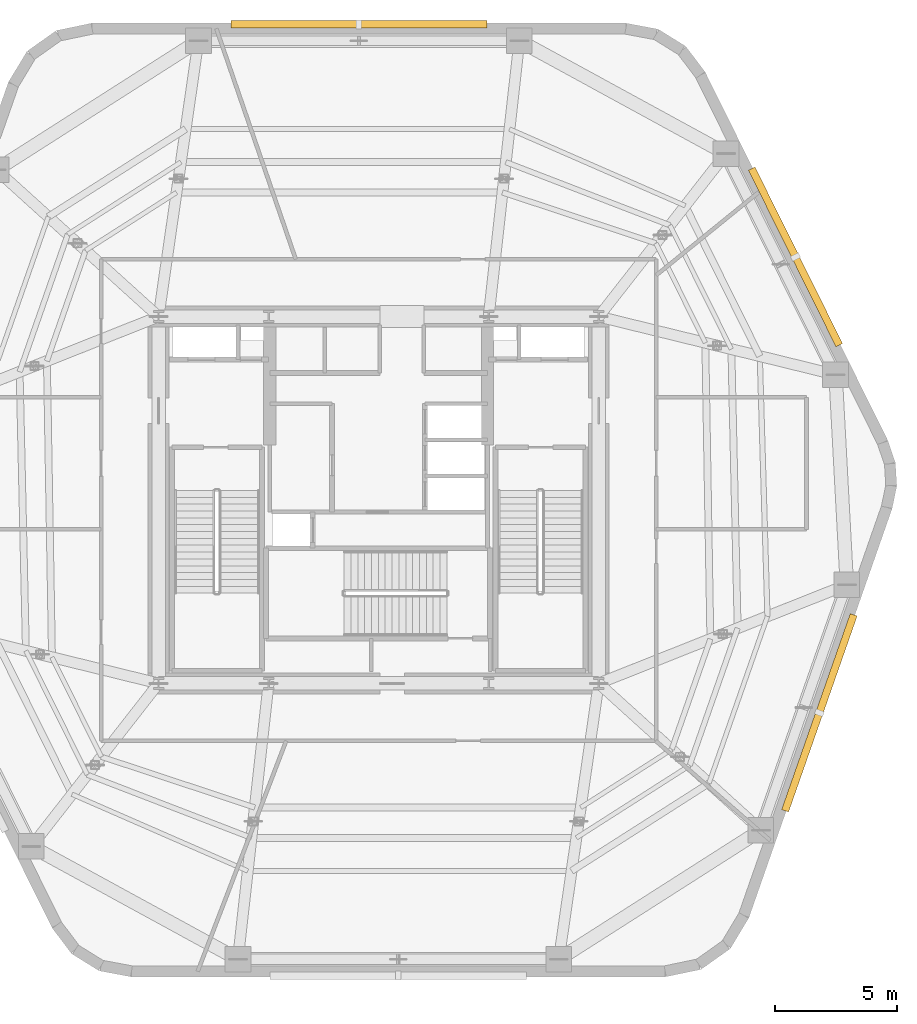
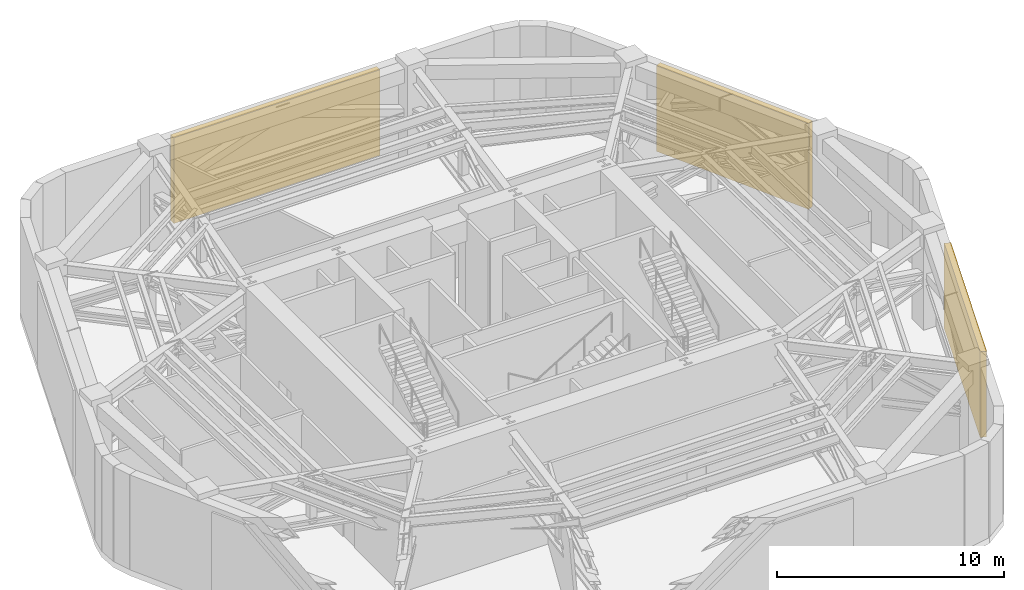
# One storey, part 10 of 10: 3 shading devices.
"""IFC4 building model written with IfcOpenShell, lengths in metres."""

from ifc_helpers import new_model, si_unit, direction, frame, origin, origin_2d, place, context, subcontext, project, spatial, rectangle, extrude, material, layer, layer_set, type_object, element, save


model = new_model("IFC4")

# Units and contexts
model_context = context("Model", 3, precision=1e-05, world=origin(), true_north=direction((0.0, 1.0)))
body_context = subcontext(model_context, "Body", "Model", "MODEL_VIEW")
ifc_project = project(units=[si_unit("LENGTHUNIT", "METRE"), si_unit("AREAUNIT", "SQUARE_METRE"), si_unit("VOLUMEUNIT", "CUBIC_METRE"), si_unit("PLANEANGLEUNIT", "RADIAN"), si_unit("MASSUNIT", "GRAM", prefix="KILO")], contexts=[model_context])

# Site, building, storey
site_placement = place(None, origin())
site = spatial("IfcSite", under=ifc_project, at=site_placement, CompositionType="ELEMENT")
building_placement = place(site_placement, origin())
building = spatial("IfcBuilding", under=site, at=building_placement, Name="Kilnhurst Terrace Hotel", CompositionType="ELEMENT")
storey_placement = place(building_placement, frame((0.0, 0.0, 170.199951171875)))
storey = spatial("IfcBuildingStorey", under=building, at=storey_placement, Name="L42", CompositionType="ELEMENT", Elevation=170.199951171875)

# Shading devices
ifc_material = material(Name="Bronze Anodized Extruded Aluminium Alloy 6063-T6", Category="aluminium")
ifc_layer = layer(ifc_material, 0.300048828125, Name="Bronze Anodized Extruded Aluminium Alloy 6063-T6")
ifc_layer_set = layer_set([ifc_layer], Name="Bronze Anodized Extruded Aluminium Alloy 6063-T6")
shading_device_type = type_object("IfcShadingDeviceType", Name="SHD-LVR-4600", PredefinedType="USERDEFINED", material=ifc_layer_set)
shading_device_1_placement = place(storey_placement, frame((18.0244140625, -8.703369140625, 0.25), z_axis=(0.0, 0.0, 1.0), x_axis=(0.330432029284, 0.943829790811, 0.0)))
element("IfcShadingDevice", 1, at=shading_device_1_placement, inside=storey, type_object=shading_device_type, Name="L42 Mechanical Intake Storm Louvre F2", ObjectType="LOUVRE", PredefinedType="USERDEFINED", context=body_context, shape_type="SweptSolid", body=[
    extrude(rectangle(XDim=8.490966796875, YDim=0.300048828125, at=origin_2d()), origin(), (0.0, 0.0, 1.0), 4.60009765625),
])
shading_device_2_placement = place(storey_placement, frame((17.047119140625, 9.940185546875, 0.25), z_axis=(0.0, 0.0, 1.0), x_axis=(-0.444244308887, 0.895905683664, 0.0)))
element("IfcShadingDevice", 2, at=shading_device_2_placement, inside=storey, type_object=shading_device_type, Name="L42 Mechanical Intake Storm Louvre F3", ObjectType="LOUVRE", PredefinedType="USERDEFINED", context=body_context, shape_type="SweptSolid", body=[
    extrude(rectangle(XDim=8.055908203125, YDim=0.300048828125, at=origin_2d()), origin(), (0.0, 0.0, 1.0), 4.60009765625),
])
shading_device_3_placement = place(storey_placement, frame((-0.8056640625, 19.449951171875, 0.25), z_axis=(0.0, 0.0, 1.0), x_axis=(-1.0, 0.0, 0.0)))
element("IfcShadingDevice", 3, at=shading_device_3_placement, inside=storey, type_object=shading_device_type, Name="L42 Mechanical Intake Storm Louvre F4", ObjectType="LOUVRE", PredefinedType="USERDEFINED", context=body_context, shape_type="SweptSolid", body=[
    extrude(rectangle(XDim=10.47802734375, YDim=0.300048828125, at=origin_2d()), origin(), (0.0, 0.0, 1.0), 4.60009765625),
])

save(model, "model.ifc")
